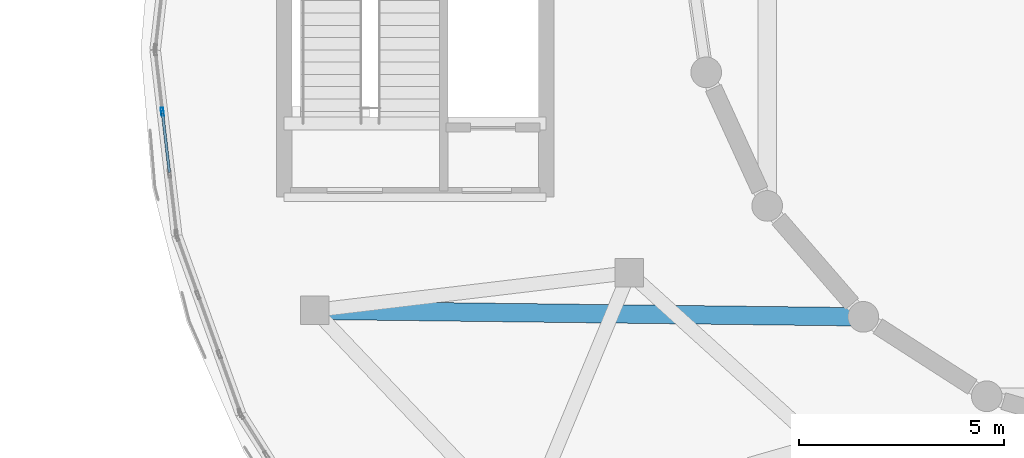
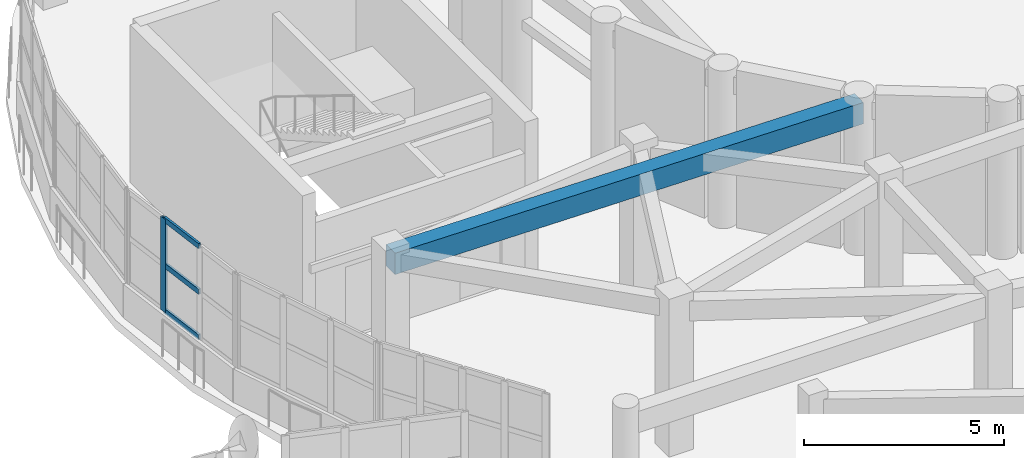
# One storey, part 37 of 98: 4 members, 1 beam, 1 element without a shape of its own.
"""IFC4 building model written with IfcOpenShell, lengths in metres."""

from ifc_helpers import new_model, si_unit, direction, frame, origin, origin_2d, place, context, subcontext, project, spatial, rectangle, hollow_rectangle, extrude, material, layer, layer_set, material_profile, profile_set, type_object, element, aggregate, save


model = new_model("IFC4")

# Units and contexts
model_context = context("Model", 3, precision=1e-05, world=origin(), true_north=direction((0.0, 1.0)))
body_context = subcontext(model_context, "Body", "Model", "MODEL_VIEW")
ifc_project = project(units=[si_unit("LENGTHUNIT", "METRE"), si_unit("AREAUNIT", "SQUARE_METRE"), si_unit("VOLUMEUNIT", "CUBIC_METRE"), si_unit("PLANEANGLEUNIT", "RADIAN"), si_unit("MASSUNIT", "GRAM", prefix="KILO")], contexts=[model_context])

# Site, building, storey
site_placement = place(None, origin())
site = spatial("IfcSite", under=ifc_project, at=site_placement, CompositionType="ELEMENT")
building_placement = place(site_placement, origin())
building = spatial("IfcBuilding", under=site, at=building_placement, Name="Pelvatis Terrace Science Centre", CompositionType="ELEMENT")
storey_placement = place(building_placement, frame((0.0, 0.0, 5.39990234375)))
storey = spatial("IfcBuildingStorey", under=building, at=storey_placement, Name="L01", CompositionType="ELEMENT", Elevation=5.39990234375)

# Beam
ifc_material_1 = material(Name="Concrete C35/45", Category="concrete")
ifc_material_profile_1 = material_profile(ifc_material_1, rectangle(XDim=0.449951171875, YDim=0.64990234375, at=origin_2d()), Name="RC-BM 450x650")
ifc_profile_set_1 = profile_set([ifc_material_profile_1], Name="Concrete C35/45")
beam_type = type_object("IfcBeamType", Name="BM-RC-450x650", PredefinedType="BEAM", material=ifc_profile_set_1)
beam_placement = place(storey_placement, frame((100.94873046875, 76.277587890625, 4.215087890625), z_axis=(-0.999928366679, 0.011969190098, 0.0), x_axis=(-0.011969190098, -0.999928366679, 0.0)))
element("IfcBeam", 1, at=beam_placement, inside=storey, type_object=beam_type, Name="Beam BM-L01-2558", PredefinedType="BEAM", context=body_context, shape_type="SweptSolid", body=[
    extrude(rectangle(XDim=0.449951171875, YDim=0.64990234375, at=origin_2d()), origin(), (0.0, 0.0, 1.0), 13.401123046875),
])

# Curtain wall, members
ifc_material_2 = material(Name="Bronze-anodised aluminium and laminated glass", Category="aluminium")
ifc_layer = layer(ifc_material_2, 0.199951171875)
ifc_layer_set = layer_set([ifc_layer], Name="Bronze-anodised aluminium and laminated glass")
curtain_wall_type = type_object("IfcCurtainWallType", Name="CW-RIBBON-B", PredefinedType="NOTDEFINED", material=ifc_layer_set)
curtain_wall_placement = place(storey_placement, origin())
curtain_wall = element("IfcCurtainWall", 2, at=curtain_wall_placement, inside=storey, type_object=curtain_wall_type, Name="Ribbon curtain wall CW-141 (L01)", PredefinedType="NOTDEFINED")
ifc_material_3 = material(Name="Bronze-anodised aluminium 6063-T6", Category="aluminium")
ifc_material_profile_2 = material_profile(ifc_material_3, hollow_rectangle(XDim=0.06494140625, YDim=0.199951171875, WallThickness=0.00439453125, at=origin_2d()), Name="ALU-MUL 65x200")
ifc_profile_set_2 = profile_set([ifc_material_profile_2], Name="Bronze-anodised aluminium 6063-T6")
member_type_1 = type_object("IfcMemberType", Name="CWM-65x200", PredefinedType="MULLION", material=ifc_profile_set_2)
member_1_placement = place(storey_placement, frame((83.82568359375, 81.2880859375, 1.02001953125), z_axis=(0.0, 0.0, 1.0), x_axis=(0.993307847727, 0.115496838239, 0.0)))
member_1 = element("IfcMember", 3, at=member_1_placement, type_object=member_type_1, Name="CW-141 mullion 2", PredefinedType="MULLION", context=body_context, shape_type="SweptSolid", body=[
    extrude(hollow_rectangle(XDim=0.06494140625, YDim=0.199951171875, WallThickness=0.00439453125, at=origin_2d()), origin(), (0.0, 0.0, 1.0), 2.840087890625),
])
ifc_material_4 = material(Name="Bronze-anodised aluminium 6063-T6", Category="aluminium")
ifc_material_profile_3 = material_profile(ifc_material_4, hollow_rectangle(XDim=0.06494140625, YDim=0.159912109375, WallThickness=0.00390625, at=origin_2d()), Name="ALU-TRN 65x160")
ifc_profile_set_3 = profile_set([ifc_material_profile_3], Name="Bronze-anodised aluminium 6063-T6")
member_type_2 = type_object("IfcMemberType", Name="CWT-65x160", PredefinedType="USERDEFINED", material=ifc_profile_set_3)
member_2_placement = place(storey_placement, frame((83.82958984375, 81.255859375, 1.052490234375), z_axis=(0.115431662514, -0.993315423866, 0.0), x_axis=(0.993315423866, 0.115431662514, 0.0)))
member_2 = element("IfcMember", 4, at=member_2_placement, type_object=member_type_2, Name="CW-141 transom 2.1", ObjectType="TRANSOM", PredefinedType="USERDEFINED", context=body_context, shape_type="SweptSolid", body=[
    extrude(hollow_rectangle(XDim=0.06494140625, YDim=0.159912109375, WallThickness=0.00390625, at=origin_2d()), origin(), (0.0, 0.0, 1.0), 1.457275390625),
])
member_3_placement = place(storey_placement, frame((83.82958984375, 81.255859375, 2.440185546875), z_axis=(0.115431662514, -0.993315423866, 0.0), x_axis=(0.993315423866, 0.115431662514, 0.0)))
member_3 = element("IfcMember", 5, at=member_3_placement, type_object=member_type_2, Name="CW-141 transom 2.2", ObjectType="TRANSOM", PredefinedType="USERDEFINED", context=body_context, shape_type="SweptSolid", body=[
    extrude(hollow_rectangle(XDim=0.06494140625, YDim=0.159912109375, WallThickness=0.00390625, at=origin_2d()), origin(), (0.0, 0.0, 1.0), 1.457275390625),
])
member_4_placement = place(storey_placement, frame((83.82958984375, 81.255859375, 3.82763671875), z_axis=(0.115431662514, -0.993315423866, 0.0), x_axis=(0.993315423866, 0.115431662514, 0.0)))
member_4 = element("IfcMember", 6, at=member_4_placement, type_object=member_type_2, Name="CW-141 transom 2.3", ObjectType="TRANSOM", PredefinedType="USERDEFINED", context=body_context, shape_type="SweptSolid", body=[
    extrude(hollow_rectangle(XDim=0.06494140625, YDim=0.159912109375, WallThickness=0.00390625, at=origin_2d()), origin(), (0.0, 0.0, 1.0), 1.457275390625),
])
aggregate(curtain_wall, [member_1, member_2, member_3, member_4])

save(model, "model.ifc")
